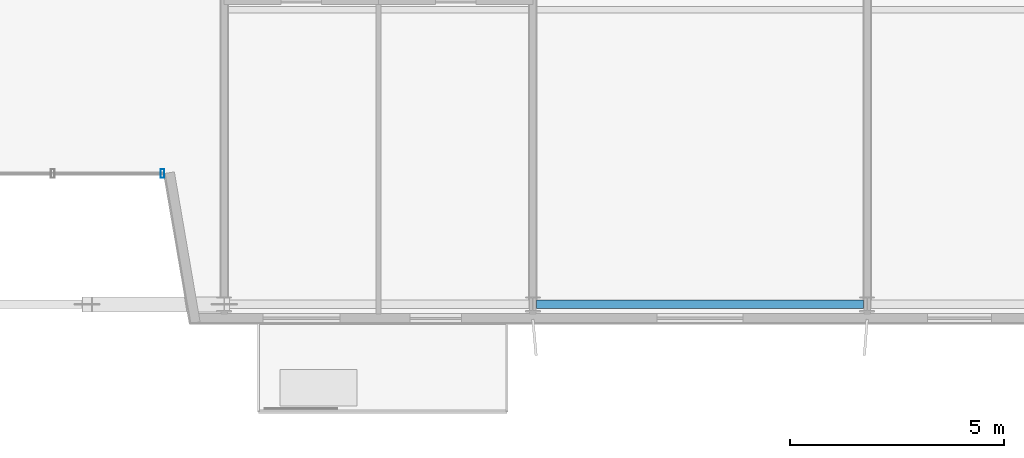
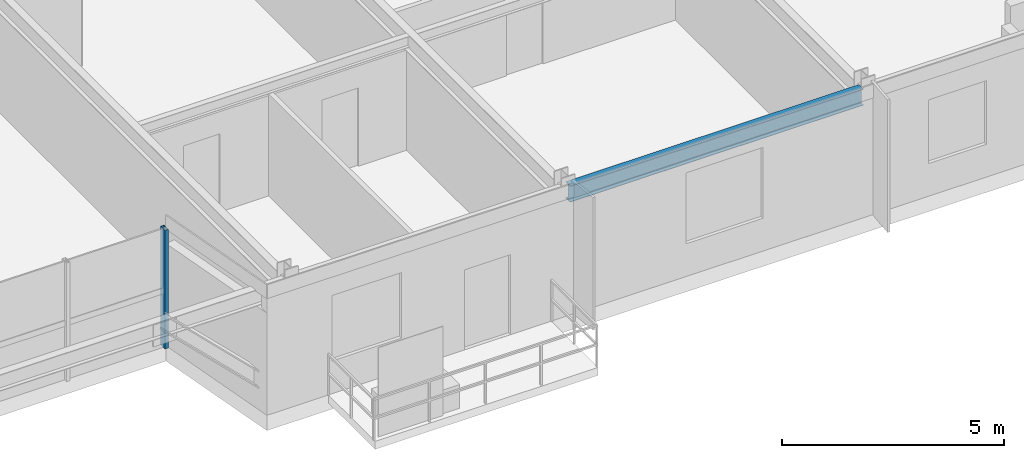
# One storey, part 8 of 28: 1 beam, 1 member, 1 element without a shape of its own.
"""IFC4 building model written with IfcOpenShell, lengths in metres."""

from ifc_helpers import new_model, si_unit, direction, frame, origin, origin_2d, place, context, subcontext, project, spatial, hollow_rectangle, i_section, extrude, source, transform, mapped, material, material_profile, profile_set, type_object, element, aggregate, save


model = new_model("IFC4")

# Units and contexts
model_context = context("Model", 3, precision=1e-05, world=origin(), true_north=direction((0.0, 1.0)))
body_context = subcontext(model_context, "Body", "Model", "MODEL_VIEW")
ifc_project = project(units=[si_unit("LENGTHUNIT", "METRE"), si_unit("AREAUNIT", "SQUARE_METRE"), si_unit("VOLUMEUNIT", "CUBIC_METRE"), si_unit("PLANEANGLEUNIT", "RADIAN"), si_unit("MASSUNIT", "GRAM", prefix="KILO")], contexts=[model_context])

# Site, building, storey
site_placement = place(None, origin())
site = spatial("IfcSite", under=ifc_project, at=site_placement, CompositionType="ELEMENT")
building_placement = place(site_placement, origin())
building = spatial("IfcBuilding", under=site, at=building_placement, Name="Trelvane Seafront Commons", CompositionType="ELEMENT")
storey_placement = place(building_placement, frame((0.0, 0.0, 295.5)))
storey = spatial("IfcBuildingStorey", under=building, at=storey_placement, Name="L77", CompositionType="ELEMENT", Elevation=295.5)

# Beam
ifc_material_1 = material(Name="Steel SM355 (S355)", Category="steel")
ifc_material_profile_1 = material_profile(ifc_material_1, i_section(OverallWidth=0.199951171875, OverallDepth=0.449951171875, WebThickness=0.009033203125, FlangeThickness=0.013916015625, at=origin_2d()), Name="H-450x200x9x14")
ifc_profile_set_1 = profile_set([ifc_material_profile_1], Name="Steel SM355 (S355)")
beam_type = type_object("IfcBeamType", Name="STR-SPD-H450", PredefinedType="SPANDREL", material=ifc_profile_set_1)
shared_shape_1 = source(origin(), body_context, "Body", "SweptSolid", [
    extrude(i_section(OverallWidth=0.199951171875, OverallDepth=0.449951171875, WebThickness=0.009033203125, FlangeThickness=0.013916015625, at=origin_2d()), origin(), (0.0, 0.0, 1.0), 7.625),
])
beam_placement = place(storey_placement, frame((51.08740234375, 3.949951171875, 3.034912109375), z_axis=(1.0, 0.0, 0.0), x_axis=(0.0, 1.0, 0.0)))
element("IfcBeam", 1, at=beam_placement, inside=storey, type_object=beam_type, Name="L77 Primary Girder G-06", PredefinedType="SPANDREL", context=body_context, shape_type="MappedRepresentation", body=[
    mapped(shared_shape_1, transform((0.0, 0.0, 0.0), x_axis=(1.0, 0.0, 0.0), y_axis=(0.0, 1.0, 0.0), z_axis=(0.0, 0.0, 1.0), scale=1.0)),
])

# Curtain wall, member
ifc_material_2 = material(Name="Anodised pale-silver aluminium", Category="aluminium")
curtain_wall_type = type_object("IfcCurtainWallType", Name="ARCH-CW3-PORTAL", PredefinedType="NOTDEFINED", material=ifc_material_2)
curtain_wall_placement = place(storey_placement, origin())
curtain_wall = element("IfcCurtainWall", 2, at=curtain_wall_placement, inside=storey, type_object=curtain_wall_type, Name="CW-L77-VN-0123", PredefinedType="NOTDEFINED")
ifc_material_profile_2 = material_profile(ifc_material_2, hollow_rectangle(XDim=0.090087890625, YDim=0.199951171875, WallThickness=0.0048828125, at=origin_2d()), Name="MULL-90x200x5")
ifc_profile_set_2 = profile_set([ifc_material_profile_2], Name="Anodised pale-silver aluminium")
member_type = type_object("IfcMemberType", Name="ARCH-CW-MULL-200", PredefinedType="MULLION", material=ifc_profile_set_2)
shared_shape_2 = source(origin(), body_context, "Body", "SweptSolid", [
    extrude(hollow_rectangle(XDim=0.090087890625, YDim=0.199951171875, WallThickness=0.0048828125, at=origin_2d()), origin(), (0.0, 0.0, 1.0), 3.260009765625),
])
member_placement = place(storey_placement, frame((42.360107421875, 7.0, 0.0), z_axis=(0.0, 0.0, 1.0), x_axis=(1.0, 0.0, 0.0)))
member = element("IfcMember", 3, at=member_placement, type_object=member_type, Name="CW-L77-VN-0123-M00", PredefinedType="MULLION", context=body_context, shape_type="MappedRepresentation", body=[
    mapped(shared_shape_2, transform((0.0, 0.0, 0.0), x_axis=(1.0, 0.0, 0.0), y_axis=(0.0, 1.0, 0.0), z_axis=(0.0, 0.0, 1.0), scale=1.0)),
])
aggregate(curtain_wall, [member])

save(model, "model.ifc")
